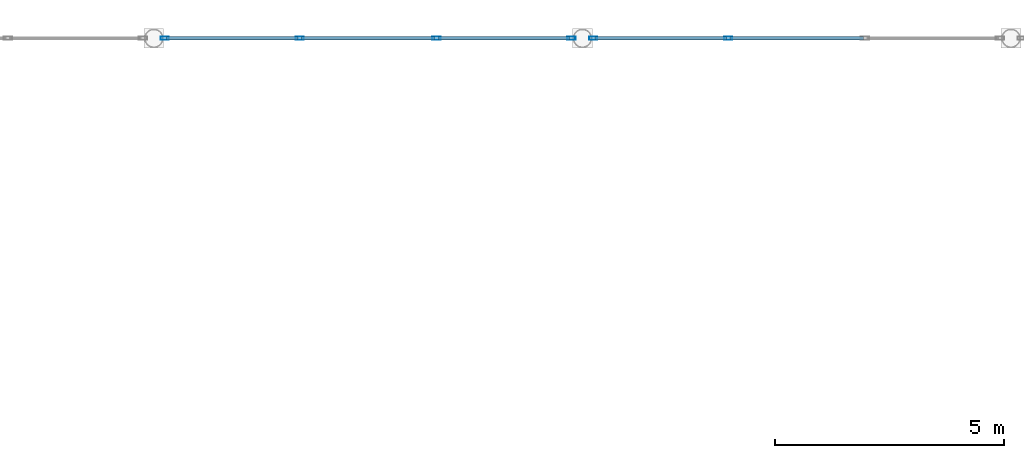
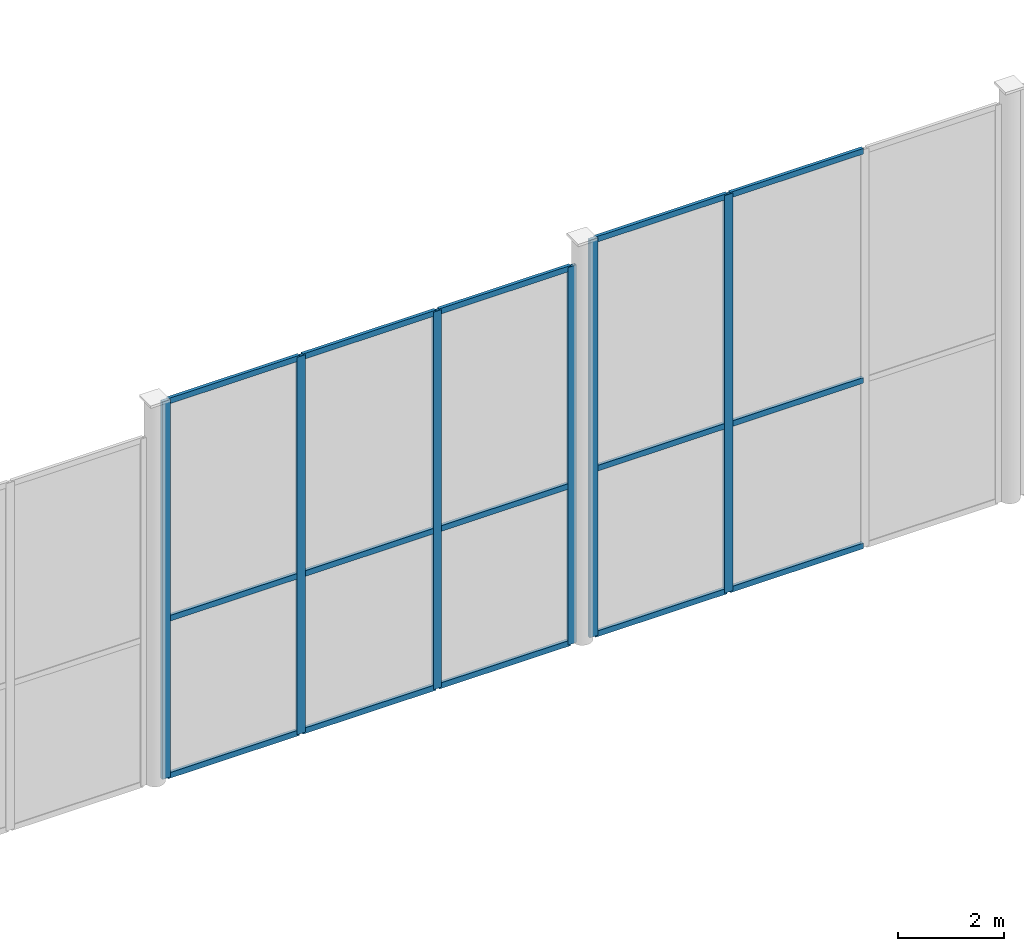
# One storey, part 40 of 77: 21 members, 2 elements without a shape of their own.
"""IFC4 building model written with IfcOpenShell, lengths in metres."""

from ifc_helpers import new_model, si_unit, direction, frame, origin, origin_2d, place, context, subcontext, project, spatial, hollow_rectangle, extrude, material, layer, layer_set, material_profile, profile_set, type_object, element, aggregate, save


model = new_model("IFC4")

# Units and contexts
model_context = context("Model", 3, precision=1e-05, world=origin(), true_north=direction((0.0, 1.0)))
body_context = subcontext(model_context, "Body", "Model", "MODEL_VIEW")
ifc_project = project(units=[si_unit("LENGTHUNIT", "METRE"), si_unit("AREAUNIT", "SQUARE_METRE"), si_unit("VOLUMEUNIT", "CUBIC_METRE"), si_unit("PLANEANGLEUNIT", "RADIAN"), si_unit("MASSUNIT", "GRAM", prefix="KILO")], contexts=[model_context])

# Site, building, storey
site_placement = place(None, origin())
site = spatial("IfcSite", under=ifc_project, at=site_placement, CompositionType="ELEMENT")
building_placement = place(site_placement, origin())
building = spatial("IfcBuilding", under=site, at=building_placement, Name="Quillay Park Conservatory", CompositionType="ELEMENT")
storey_placement = place(building_placement, frame((0.0, 0.0, 5.39990234375)))
storey = spatial("IfcBuildingStorey", under=building, at=storey_placement, Name="L01", CompositionType="ELEMENT", Elevation=5.39990234375)

# Curtain wall, members
ifc_material_1 = material(Name="Thermally Broken Anodised Aluminium 6063-T6", Category="aluminium")
ifc_layer = layer(ifc_material_1, 0.219970703125)
ifc_layer_set = layer_set([ifc_layer], Name="UNITISED CURTAIN WALL CONSERVATORY (Thermally Broken Anodised Aluminium 6063-T6)")
curtain_wall_type = type_object("IfcCurtainWallType", Name="UNITISED CURTAIN WALL CONSERVATORY", PredefinedType="USERDEFINED", material=ifc_layer_set)
curtain_wall_1_placement = place(storey_placement, origin())
curtain_wall_1 = element("IfcCurtainWall", 1, at=curtain_wall_1_placement, inside=storey, type_object=curtain_wall_type, Name="L01 Unitised Curtain Wall 151", ObjectType="UNITISED CURTAIN WALL", PredefinedType="USERDEFINED")
ifc_material_2 = material(Name="Thermally Broken Anodised Aluminium 6063-T6", Category="aluminium")
ifc_material_profile_1 = material_profile(ifc_material_2, hollow_rectangle(XDim=0.070068359375, YDim=0.179931640625, WallThickness=0.00390625, at=origin_2d()), Name="AL70x180x4")
ifc_profile_set_1 = profile_set([ifc_material_profile_1], Name="Thermally Broken Anodised Aluminium 6063-T6")
member_type_1 = type_object("IfcMemberType", Name="CURTAIN WALL MULLION 70 X180", PredefinedType="MULLION", material=ifc_profile_set_1)
member_1_placement = place(storey_placement, frame((49.59814453125, 113.39990234375, 0.0), z_axis=(0.0, 0.0, 1.0), x_axis=(0.0, 1.0, 0.0)))
member_1 = element("IfcMember", 2, at=member_1_placement, type_object=member_type_1, Name="CW-C1 mullion 1", PredefinedType="MULLION", context=body_context, shape_type="SweptSolid", body=[
    extrude(hollow_rectangle(XDim=0.070068359375, YDim=0.179931640625, WallThickness=0.00390625, at=origin_2d()), origin(), (0.0, 0.0, 1.0), 8.737060546875),
])
member_2_placement = place(storey_placement, frame((52.546875, 113.39990234375, 0.0), z_axis=(0.0, 0.0, 1.0), x_axis=(0.0, 1.0, 0.0)))
member_2 = element("IfcMember", 3, at=member_2_placement, type_object=member_type_1, Name="CW-C1 mullion 2", PredefinedType="MULLION", context=body_context, shape_type="SweptSolid", body=[
    extrude(hollow_rectangle(XDim=0.070068359375, YDim=0.179931640625, WallThickness=0.00390625, at=origin_2d()), origin(), (0.0, 0.0, 1.0), 8.737060546875),
])
member_3_placement = place(storey_placement, frame((55.53076171875, 113.39990234375, 0.0), z_axis=(0.0, 0.0, 1.0), x_axis=(0.0, 1.0, 0.0)))
member_3 = element("IfcMember", 4, at=member_3_placement, type_object=member_type_1, Name="CW-C1 mullion 3", PredefinedType="MULLION", context=body_context, shape_type="SweptSolid", body=[
    extrude(hollow_rectangle(XDim=0.070068359375, YDim=0.179931640625, WallThickness=0.00390625, at=origin_2d()), origin(), (0.0, 0.0, 1.0), 8.737060546875),
])
member_4_placement = place(storey_placement, frame((58.479736328125, 113.39990234375, 0.0), z_axis=(0.0, 0.0, 1.0), x_axis=(0.0, 1.0, 0.0)))
member_4 = element("IfcMember", 5, at=member_4_placement, type_object=member_type_1, Name="CW-C1 mullion 4", PredefinedType="MULLION", context=body_context, shape_type="SweptSolid", body=[
    extrude(hollow_rectangle(XDim=0.070068359375, YDim=0.179931640625, WallThickness=0.00390625, at=origin_2d()), origin(), (0.0, 0.0, 1.0), 8.737060546875),
])

curtain_wall_2_placement = place(storey_placement, origin())
curtain_wall_2 = element("IfcCurtainWall", 6, at=curtain_wall_2_placement, inside=storey, type_object=curtain_wall_type, Name="L01 Unitised Curtain Wall 153", ObjectType="UNITISED CURTAIN WALL", PredefinedType="USERDEFINED")
member_5_placement = place(storey_placement, frame((58.95361328125, 113.39990234375, 0.0), z_axis=(0.0, 0.0, 1.0), x_axis=(0.0, 1.0, 0.0)))
member_5 = element("IfcMember", 7, at=member_5_placement, type_object=member_type_1, Name="CW-C1 mullion 1", PredefinedType="MULLION", context=body_context, shape_type="SweptSolid", body=[
    extrude(hollow_rectangle(XDim=0.070068359375, YDim=0.179931640625, WallThickness=0.00390625, at=origin_2d()), origin(), (0.0, 0.0, 1.0), 9.201904296875),
])
member_6_placement = place(storey_placement, frame((61.902587890625, 113.39990234375, 0.0), z_axis=(0.0, 0.0, 1.0), x_axis=(0.0, 1.0, 0.0)))
member_6 = element("IfcMember", 8, at=member_6_placement, type_object=member_type_1, Name="CW-C1 mullion 2", PredefinedType="MULLION", context=body_context, shape_type="SweptSolid", body=[
    extrude(hollow_rectangle(XDim=0.070068359375, YDim=0.179931640625, WallThickness=0.00390625, at=origin_2d()), origin(), (0.0, 0.0, 1.0), 9.201904296875),
])

# Member
ifc_material_3 = material(Name="Thermally Broken Anodised Aluminium 6063-T6", Category="aluminium")
ifc_material_profile_2 = material_profile(ifc_material_3, hollow_rectangle(XDim=0.070068359375, YDim=0.1298828125, WallThickness=0.003173828125, at=origin_2d()), Name="AL70x130x3.2")
ifc_profile_set_2 = profile_set([ifc_material_profile_2], Name="Thermally Broken Anodised Aluminium 6063-T6")
member_type_2 = type_object("IfcMemberType", Name="CURTAIN WALL TRANSOM 70 X130", PredefinedType="USERDEFINED", material=ifc_profile_set_2)
member_7_placement = place(storey_placement, frame((49.633056640625, 113.39990234375, 0.03515625), z_axis=(1.0, 0.0, 0.0), x_axis=(0.0, 1.0, 0.0)))
member_7 = element("IfcMember", 9, at=member_7_placement, type_object=member_type_2, Name="CW-C1 transom 1.1", ObjectType="TRANSOM", PredefinedType="USERDEFINED", context=body_context, shape_type="SweptSolid", body=[
    extrude(hollow_rectangle(XDim=0.070068359375, YDim=0.1298828125, WallThickness=0.003173828125, at=origin_2d()), origin(), (0.0, 0.0, 1.0), 2.87890625),
])

member_8_placement = place(storey_placement, frame((49.633056640625, 113.39990234375, 3.669677734375), z_axis=(1.0, 0.0, 0.0), x_axis=(0.0, 1.0, 0.0)))
member_8 = element("IfcMember", 10, at=member_8_placement, type_object=member_type_2, Name="CW-C1 transom 1.2", ObjectType="TRANSOM", PredefinedType="USERDEFINED", context=body_context, shape_type="SweptSolid", body=[
    extrude(hollow_rectangle(XDim=0.070068359375, YDim=0.1298828125, WallThickness=0.003173828125, at=origin_2d()), origin(), (0.0, 0.0, 1.0), 2.87890625),
])

member_9_placement = place(storey_placement, frame((49.633056640625, 113.39990234375, 8.7021484375), z_axis=(1.0, 0.0, 0.0), x_axis=(0.0, 1.0, 0.0)))
member_9 = element("IfcMember", 11, at=member_9_placement, type_object=member_type_2, Name="CW-C1 transom 1.3", ObjectType="TRANSOM", PredefinedType="USERDEFINED", context=body_context, shape_type="SweptSolid", body=[
    extrude(hollow_rectangle(XDim=0.070068359375, YDim=0.1298828125, WallThickness=0.003173828125, at=origin_2d()), origin(), (0.0, 0.0, 1.0), 2.87890625),
])

member_10_placement = place(storey_placement, frame((52.58203125, 113.39990234375, 0.03515625), z_axis=(1.0, 0.0, 0.0), x_axis=(0.0, 1.0, 0.0)))
member_10 = element("IfcMember", 12, at=member_10_placement, type_object=member_type_2, Name="CW-C1 transom 2.1", ObjectType="TRANSOM", PredefinedType="USERDEFINED", context=body_context, shape_type="SweptSolid", body=[
    extrude(hollow_rectangle(XDim=0.070068359375, YDim=0.1298828125, WallThickness=0.003173828125, at=origin_2d()), origin(), (0.0, 0.0, 1.0), 2.913818359375),
])

member_11_placement = place(storey_placement, frame((52.58203125, 113.39990234375, 3.669677734375), z_axis=(1.0, 0.0, 0.0), x_axis=(0.0, 1.0, 0.0)))
member_11 = element("IfcMember", 13, at=member_11_placement, type_object=member_type_2, Name="CW-C1 transom 2.2", ObjectType="TRANSOM", PredefinedType="USERDEFINED", context=body_context, shape_type="SweptSolid", body=[
    extrude(hollow_rectangle(XDim=0.070068359375, YDim=0.1298828125, WallThickness=0.003173828125, at=origin_2d()), origin(), (0.0, 0.0, 1.0), 2.913818359375),
])

member_12_placement = place(storey_placement, frame((52.58203125, 113.39990234375, 8.7021484375), z_axis=(1.0, 0.0, 0.0), x_axis=(0.0, 1.0, 0.0)))
member_12 = element("IfcMember", 14, at=member_12_placement, type_object=member_type_2, Name="CW-C1 transom 2.3", ObjectType="TRANSOM", PredefinedType="USERDEFINED", context=body_context, shape_type="SweptSolid", body=[
    extrude(hollow_rectangle(XDim=0.070068359375, YDim=0.1298828125, WallThickness=0.003173828125, at=origin_2d()), origin(), (0.0, 0.0, 1.0), 2.913818359375),
])

member_13_placement = place(storey_placement, frame((55.56591796875, 113.39990234375, 0.03515625), z_axis=(1.0, 0.0, 0.0), x_axis=(0.0, 1.0, 0.0)))
member_13 = element("IfcMember", 15, at=member_13_placement, type_object=member_type_2, Name="CW-C1 transom 3.1", ObjectType="TRANSOM", PredefinedType="USERDEFINED", context=body_context, shape_type="SweptSolid", body=[
    extrude(hollow_rectangle(XDim=0.070068359375, YDim=0.1298828125, WallThickness=0.003173828125, at=origin_2d()), origin(), (0.0, 0.0, 1.0), 2.878662109375),
])

member_14_placement = place(storey_placement, frame((55.56591796875, 113.39990234375, 3.669677734375), z_axis=(1.0, 0.0, 0.0), x_axis=(0.0, 1.0, 0.0)))
member_14 = element("IfcMember", 16, at=member_14_placement, type_object=member_type_2, Name="CW-C1 transom 3.2", ObjectType="TRANSOM", PredefinedType="USERDEFINED", context=body_context, shape_type="SweptSolid", body=[
    extrude(hollow_rectangle(XDim=0.070068359375, YDim=0.1298828125, WallThickness=0.003173828125, at=origin_2d()), origin(), (0.0, 0.0, 1.0), 2.878662109375),
])

member_15_placement = place(storey_placement, frame((55.56591796875, 113.39990234375, 8.7021484375), z_axis=(1.0, 0.0, 0.0), x_axis=(0.0, 1.0, 0.0)))
member_15 = element("IfcMember", 17, at=member_15_placement, type_object=member_type_2, Name="CW-C1 transom 3.3", ObjectType="TRANSOM", PredefinedType="USERDEFINED", context=body_context, shape_type="SweptSolid", body=[
    extrude(hollow_rectangle(XDim=0.070068359375, YDim=0.1298828125, WallThickness=0.003173828125, at=origin_2d()), origin(), (0.0, 0.0, 1.0), 2.878662109375),
])

aggregate(curtain_wall_1, [member_1, member_2, member_3, member_4, member_7, member_8, member_9, member_10, member_11, member_12, member_13, member_14, member_15])

member_16_placement = place(storey_placement, frame((58.98876953125, 113.39990234375, 0.03515625), z_axis=(1.0, 0.0, 0.0), x_axis=(0.0, 1.0, 0.0)))
member_16 = element("IfcMember", 18, at=member_16_placement, type_object=member_type_2, Name="CW-C1 transom 1.1", ObjectType="TRANSOM", PredefinedType="USERDEFINED", context=body_context, shape_type="SweptSolid", body=[
    extrude(hollow_rectangle(XDim=0.070068359375, YDim=0.1298828125, WallThickness=0.003173828125, at=origin_2d()), origin(), (0.0, 0.0, 1.0), 2.878662109375),
])

member_17_placement = place(storey_placement, frame((58.98876953125, 113.39990234375, 3.864990234375), z_axis=(1.0, 0.0, 0.0), x_axis=(0.0, 1.0, 0.0)))
member_17 = element("IfcMember", 19, at=member_17_placement, type_object=member_type_2, Name="CW-C1 transom 1.2", ObjectType="TRANSOM", PredefinedType="USERDEFINED", context=body_context, shape_type="SweptSolid", body=[
    extrude(hollow_rectangle(XDim=0.070068359375, YDim=0.1298828125, WallThickness=0.003173828125, at=origin_2d()), origin(), (0.0, 0.0, 1.0), 2.878662109375),
])

member_18_placement = place(storey_placement, frame((58.98876953125, 113.39990234375, 9.1669921875), z_axis=(1.0, 0.0, 0.0), x_axis=(0.0, 1.0, 0.0)))
member_18 = element("IfcMember", 20, at=member_18_placement, type_object=member_type_2, Name="CW-C1 transom 1.3", ObjectType="TRANSOM", PredefinedType="USERDEFINED", context=body_context, shape_type="SweptSolid", body=[
    extrude(hollow_rectangle(XDim=0.070068359375, YDim=0.1298828125, WallThickness=0.003173828125, at=origin_2d()), origin(), (0.0, 0.0, 1.0), 2.878662109375),
])

member_19_placement = place(storey_placement, frame((61.9375, 113.39990234375, 0.03515625), z_axis=(1.0, 0.0, 0.0), x_axis=(0.0, 1.0, 0.0)))
member_19 = element("IfcMember", 21, at=member_19_placement, type_object=member_type_2, Name="CW-C1 transom 2.1", ObjectType="TRANSOM", PredefinedType="USERDEFINED", context=body_context, shape_type="SweptSolid", body=[
    extrude(hollow_rectangle(XDim=0.070068359375, YDim=0.1298828125, WallThickness=0.003173828125, at=origin_2d()), origin(), (0.0, 0.0, 1.0), 2.913818359375),
])

member_20_placement = place(storey_placement, frame((61.9375, 113.39990234375, 3.864990234375), z_axis=(1.0, 0.0, 0.0), x_axis=(0.0, 1.0, 0.0)))
member_20 = element("IfcMember", 22, at=member_20_placement, type_object=member_type_2, Name="CW-C1 transom 2.2", ObjectType="TRANSOM", PredefinedType="USERDEFINED", context=body_context, shape_type="SweptSolid", body=[
    extrude(hollow_rectangle(XDim=0.070068359375, YDim=0.1298828125, WallThickness=0.003173828125, at=origin_2d()), origin(), (0.0, 0.0, 1.0), 2.913818359375),
])

member_21_placement = place(storey_placement, frame((61.9375, 113.39990234375, 9.1669921875), z_axis=(1.0, 0.0, 0.0), x_axis=(0.0, 1.0, 0.0)))
member_21 = element("IfcMember", 23, at=member_21_placement, type_object=member_type_2, Name="CW-C1 transom 2.3", ObjectType="TRANSOM", PredefinedType="USERDEFINED", context=body_context, shape_type="SweptSolid", body=[
    extrude(hollow_rectangle(XDim=0.070068359375, YDim=0.1298828125, WallThickness=0.003173828125, at=origin_2d()), origin(), (0.0, 0.0, 1.0), 2.913818359375),
])

aggregate(curtain_wall_2, [member_5, member_6, member_16, member_17, member_18, member_19, member_20, member_21])

save(model, "model.ifc")
